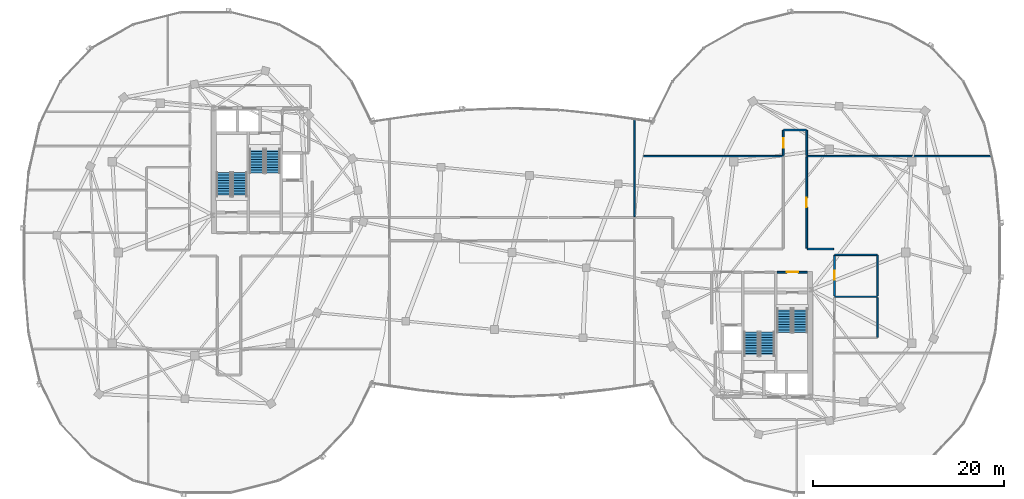
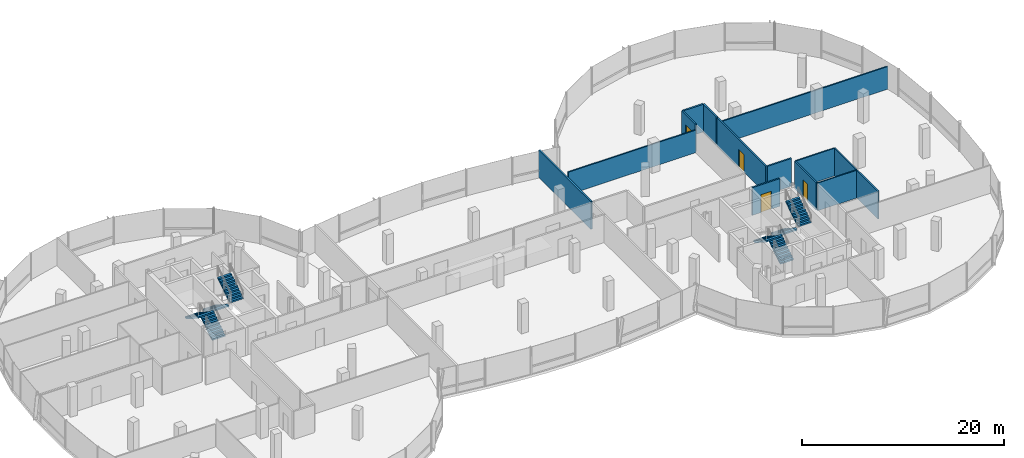
# One storey, part 17 of 25: 14 walls, 8 stair flights, 4 doors, 4 openings, 4 elements without a shape of their own.
"""IFC4 building model written with IfcOpenShell, lengths in metres."""

from ifc_helpers import new_model, si_unit, direction, frame, frame_2d, origin, place, context, subcontext, project, spatial, polyline, rectangle, outline, extrude, material, layer, layer_set, type_object, element, fill, aggregate, save


model = new_model("IFC4")

# Units and contexts
model_context = context("Model", 3, precision=1e-05, world=origin(), true_north=direction((0.0, 1.0)))
body_context = subcontext(model_context, "Body", "Model", "MODEL_VIEW")
ifc_project = project(units=[si_unit("LENGTHUNIT", "METRE"), si_unit("AREAUNIT", "SQUARE_METRE"), si_unit("VOLUMEUNIT", "CUBIC_METRE"), si_unit("PLANEANGLEUNIT", "RADIAN"), si_unit("MASSUNIT", "GRAM", prefix="KILO"), si_unit("THERMODYNAMICTEMPERATUREUNIT", "KELVIN"), si_unit("POWERUNIT", "WATT")], contexts=[model_context])

# Site, building, storey
site_placement = place(None, origin())
site = spatial("IfcSite", under=ifc_project, at=site_placement, CompositionType="ELEMENT")
building_placement = place(site_placement, origin())
building = spatial("IfcBuilding", under=site, at=building_placement, Name="Cundina Bronze Exchange", CompositionType="ELEMENT")
storey_placement = place(building_placement, frame((0.0, 0.0, 254.0)))
storey = spatial("IfcBuildingStorey", under=building, at=storey_placement, Name="L67", CompositionType="ELEMENT", Elevation=254.0)

# Wall, opening, door
ifc_material_1 = material(Name="Gypsum Fireboard Partition EI120")
ifc_layer_1 = layer(ifc_material_1, 0.179931640625, Name="Gypsum Fireboard Partition EI120")
ifc_layer_set_1 = layer_set([ifc_layer_1], Name="Gypsum Fireboard Partition EI120")
wall_type_1 = type_object("IfcWallType", Name="WL-COR-180", PredefinedType="PARTITIONING", material=ifc_layer_set_1)
wall_1_placement = place(storey_placement, frame((27.739990234375, -2.06005859375, 0.0), z_axis=(0.0, 0.0, 1.0), x_axis=(1.0, 0.0, 0.0)))
wall_1 = element("IfcWall", 1, at=wall_1_placement, inside=storey, type_object=wall_type_1, Name="L67 E Stair Vestibule Exit Wall", PredefinedType="PARTITIONING", context=body_context, shape_type="SweptSolid", body=[
    extrude(rectangle(XDim=3.159912109375, YDim=0.179931640625, at=frame_2d((1.580078125, 0.0))), origin(), (0.0, 0.0, 1.0), 3.340087890625),
])
opening_1_placement = place(wall_1_placement, frame((0.97998046875, 0.0, 0.0)))
opening_1 = element("IfcOpeningElement", 2, at=opening_1_placement, cuts=wall_1, Name="Opening DF-01", PredefinedType="OPENING", context=body_context, shape_type="SweptSolid", body=[
    extrude(rectangle(XDim=1.199951171875, YDim=2.14990234375, at=frame_2d((0.60009765625, 1.074951171875))), frame((0.0, 0.099853515625, 0.0), z_axis=(0.0, -1.0, 0.0), x_axis=(1.0, 0.0, 0.0)), (0.0, 0.0, 1.0), 0.199951171875),
])
ifc_material_2 = material(Name="Steel ASTM A36 Painted", Category="steel")
door_type_1 = type_object("IfcDoorType", Name="DR-FFL-1200", OperationType="NOTDEFINED", PredefinedType="DOOR", material=ifc_material_2)
door_1_placement = place(opening_1_placement, origin())
door_1 = element("IfcDoor", 3, at=door_1_placement, inside=storey, type_object=door_type_1, Name="L67 E Stair Vestibule Door", OperationType="SINGLE_SWING_RIGHT", OverallHeight=2.14990234375, OverallWidth=1.199951171875, PredefinedType="DOOR", context=body_context, shape_type="SweptSolid", body=[
    extrude(rectangle(XDim=1.199951171875, YDim=2.14990234375, at=frame_2d((0.60009765625, 1.074951171875))), frame((0.0, 0.02490234375, 0.0), z_axis=(0.0, -1.0, 0.0), x_axis=(1.0, 0.0, 0.0)), (0.0, 0.0, 1.0), 0.050048828125),
])
fill(opening_1, door_1)

wall_2_placement = place(storey_placement, frame((33.719970703125, -4.530029296875, 0.0), z_axis=(0.0, 0.0, 1.0), x_axis=(0.0, 1.0, 0.0)))
wall_2 = element("IfcWall", 4, at=wall_2_placement, inside=storey, type_object=wall_type_1, Name="L67 Interior Partition 049", PredefinedType="PARTITIONING", context=body_context, shape_type="SweptSolid", body=[
    extrude(rectangle(XDim=4.260009765625, YDim=0.179931640625, at=frame_2d((2.1298828125, 0.0))), origin(), (0.0, 0.0, 1.0), 3.340087890625),
])
opening_2_placement = place(wall_2_placement, frame((1.655029296875, 0.0, 0.0)))
opening_2 = element("IfcOpeningElement", 5, at=opening_2_placement, cuts=wall_2, Name="Opening DW-01", PredefinedType="OPENING", context=body_context, shape_type="SweptSolid", body=[
    extrude(rectangle(XDim=0.949951171875, YDim=2.10009765625, at=frame_2d((0.47509765625, 1.050048828125))), frame((0.0, 0.099853515625, 0.0), z_axis=(0.0, -1.0, 0.0), x_axis=(1.0, 0.0, 0.0)), (0.0, 0.0, 1.0), 0.199951171875),
])
ifc_material_3 = material(Name="Solid Andean Oak Timber Grade A", Category="wood")
door_type_2 = type_object("IfcDoorType", Name="DR-WC-950", OperationType="NOTDEFINED", PredefinedType="DOOR", material=ifc_material_3)
door_2_placement = place(opening_2_placement, origin())
door_2 = element("IfcDoor", 6, at=door_2_placement, inside=storey, type_object=door_type_2, Name="L67 Interior Door 049", OperationType="SINGLE_SWING_LEFT", OverallHeight=2.10009765625, OverallWidth=0.949951171875, PredefinedType="DOOR", context=body_context, shape_type="SweptSolid", body=[
    extrude(rectangle(XDim=0.949951171875, YDim=2.10009765625, at=frame_2d((0.47509765625, 1.050048828125))), frame((0.0, 0.02490234375, 0.0), z_axis=(0.0, -1.0, 0.0), x_axis=(1.0, 0.0, 0.0)), (0.0, 0.0, 1.0), 0.050048828125),
])
fill(opening_2, door_2)

wall_3_placement = place(storey_placement, frame((30.820068359375, 0.449951171875, 0.0), z_axis=(0.0, 0.0, 1.0), x_axis=(0.0, 1.0, 0.0)))
wall_3 = element("IfcWall", 7, at=wall_3_placement, inside=storey, type_object=wall_type_1, Name="L67 Interior Partition 060", PredefinedType="PARTITIONING", context=body_context, shape_type="SweptSolid", body=[
    extrude(rectangle(XDim=9.5400390625, YDim=0.179931640625, at=frame_2d((4.77001953125, 0.0))), origin(), (0.0, 0.0, 1.0), 3.340087890625),
])
opening_3_placement = place(wall_3_placement, frame((4.27001953125, 0.0, 0.0)))
opening_3 = element("IfcOpeningElement", 8, at=opening_3_placement, cuts=wall_3, Name="Opening DO-01", PredefinedType="OPENING", context=body_context, shape_type="SweptSolid", body=[
    extrude(rectangle(XDim=1.0, YDim=2.14990234375, at=frame_2d((0.5, 1.074951171875))), frame((0.0, 0.099853515625, 0.0), z_axis=(0.0, -1.0, 0.0), x_axis=(1.0, 0.0, 0.0)), (0.0, 0.0, 1.0), 0.199951171875),
])
door_type_3 = type_object("IfcDoorType", Name="DR-OFF-1000", OperationType="NOTDEFINED", PredefinedType="DOOR", material=ifc_material_3)
door_3_placement = place(opening_3_placement, origin())
door_3 = element("IfcDoor", 9, at=door_3_placement, inside=storey, type_object=door_type_3, Name="L67 Interior Door 060", OperationType="SINGLE_SWING_LEFT", OverallHeight=2.14990234375, OverallWidth=1.0, PredefinedType="DOOR", context=body_context, shape_type="SweptSolid", body=[
    extrude(rectangle(XDim=1.0, YDim=2.14990234375, at=frame_2d((0.5, 1.074951171875))), frame((0.0, 0.02490234375, 0.0), z_axis=(0.0, -1.0, 0.0), x_axis=(1.0, 0.0, 0.0)), (0.0, 0.0, 1.0), 0.050048828125),
])
fill(opening_3, door_3)

# Wall
wall_4_placement = place(storey_placement, frame((33.62841796875, 0.3701171875, 0.0), z_axis=(0.0, 0.0, 1.0), x_axis=(-1.0, 0.0, 0.0)))
element("IfcWall", 10, at=wall_4_placement, inside=storey, type_object=wall_type_1, Name="L67 Interior Partition 061", PredefinedType="PARTITIONING", context=body_context, shape_type="SweptSolid", body=[
    extrude(rectangle(XDim=2.728515625, YDim=0.179931640625, at=frame_2d((1.3642578125, 0.0))), origin(), (0.0, 0.0, 1.0), 3.340087890625),
])

# Wall, opening, door
wall_5_placement = place(storey_placement, frame((28.3798828125, 12.778564453125, 0.0), z_axis=(0.0, 0.0, 1.0), x_axis=(0.0, -1.0, 0.0)))
wall_5 = element("IfcWall", 11, at=wall_5_placement, inside=storey, type_object=wall_type_1, Name="L67 Interior Partition 067", PredefinedType="PARTITIONING", context=body_context, shape_type="SweptSolid", body=[
    extrude(rectangle(XDim=2.608642578125, YDim=0.179931640625, at=frame_2d((1.30419921875, 0.0))), origin(), (0.0, 0.0, 1.0), 3.340087890625),
])
opening_4_placement = place(wall_5_placement, frame((0.80419921875, 0.0, 0.0)))
opening_4 = element("IfcOpeningElement", 12, at=opening_4_placement, cuts=wall_5, Name="Opening DO-01", PredefinedType="OPENING", context=body_context, shape_type="SweptSolid", body=[
    extrude(rectangle(XDim=1.0, YDim=2.14990234375, at=frame_2d((0.5, 1.074951171875))), frame((0.0, 0.099853515625, 0.0), z_axis=(0.0, -1.0, 0.0), x_axis=(1.0, 0.0, 0.0)), (0.0, 0.0, 1.0), 0.199951171875),
])
door_4_placement = place(opening_4_placement, origin())
door_4 = element("IfcDoor", 13, at=door_4_placement, inside=storey, type_object=door_type_3, Name="L67 Interior Door 067", OperationType="SINGLE_SWING_RIGHT", OverallHeight=2.14990234375, OverallWidth=1.0, PredefinedType="DOOR", context=body_context, shape_type="SweptSolid", body=[
    extrude(rectangle(XDim=1.0, YDim=2.14990234375, at=frame_2d((0.5, 1.074951171875))), frame((0.0, 0.02490234375, 0.0), z_axis=(0.0, -1.0, 0.0), x_axis=(1.0, 0.0, 0.0)), (0.0, 0.0, 1.0), 0.050048828125),
])
fill(opening_4, door_4)

# Walls
wall_6_placement = place(storey_placement, frame((30.820068359375, 10.169921875, 0.0), z_axis=(0.0, 0.0, 1.0), x_axis=(0.0, 1.0, 0.0)))
element("IfcWall", 14, at=wall_6_placement, inside=storey, type_object=wall_type_1, Name="L67 Interior Partition 068", PredefinedType="PARTITIONING", context=body_context, shape_type="SweptSolid", body=[
    extrude(rectangle(XDim=2.608642578125, YDim=0.179931640625, at=frame_2d((1.30419921875, 0.0))), origin(), (0.0, 0.0, 1.0), 3.340087890625),
])
wall_7_placement = place(storey_placement, frame((30.778564453125, 12.820068359375, 0.0), z_axis=(0.0, 0.0, 1.0), x_axis=(-1.0, 0.0, 0.0)))
element("IfcWall", 15, at=wall_7_placement, inside=storey, type_object=wall_type_1, Name="L67 Interior Partition 069", PredefinedType="PARTITIONING", context=body_context, shape_type="SweptSolid", body=[
    extrude(rectangle(XDim=2.357177734375, YDim=0.179931640625, at=frame_2d((1.1787109375, 0.0))), origin(), (0.0, 0.0, 1.0), 3.340087890625),
])
wall_8_placement = place(storey_placement, frame((12.800048828125, 3.739990234375, 0.0), z_axis=(0.0, 0.0, 1.0), x_axis=(0.0, 1.0, 0.0)))
element("IfcWall", 16, at=wall_8_placement, inside=storey, type_object=wall_type_1, Name="L67 Interior Partition 079", PredefinedType="PARTITIONING", context=body_context, shape_type="SweptSolid", body=[
    extrude(rectangle(XDim=10.3037109375, YDim=0.179931640625, at=frame_2d((5.15185546875, 0.0))), origin(), (0.0, 0.0, 1.0), 3.340087890625),
])
ifc_material_4 = material(Name="Gypsum Acoustic Partition EI60")
ifc_layer_2 = layer(ifc_material_4, 0.14990234375, Name="Gypsum Acoustic Partition EI60")
ifc_layer_set_2 = layer_set([ifc_layer_2], Name="Gypsum Acoustic Partition EI60")
wall_type_2 = type_object("IfcWallType", Name="WL-TEN-150", PredefinedType="PARTITIONING", material=ifc_layer_set_2)
wall_9_placement = place(storey_placement, frame((13.755126953125, 10.080078125, 0.0), z_axis=(0.0, 0.0, 1.0), x_axis=(1.0, 0.0, 0.0)))
element("IfcWall", 17, at=wall_9_placement, inside=storey, type_object=wall_type_2, Name="L67 Interior Partition 051", PredefinedType="PARTITIONING", context=body_context, shape_type="SweptSolid", body=[
    extrude(rectangle(XDim=14.594970703125, YDim=0.14990234375, at=frame_2d((7.29736328125, 0.0))), origin(), (0.0, 0.0, 1.0), 2.72412109375),
])
wall_10_placement = place(storey_placement, frame((30.85009765625, 10.080078125, 0.0), z_axis=(0.0, 0.0, 1.0), x_axis=(1.0, 0.0, 0.0)))
element("IfcWall", 18, at=wall_10_placement, inside=storey, type_object=wall_type_2, Name="L67 Interior Partition 052", PredefinedType="PARTITIONING", context=body_context, shape_type="SweptSolid", body=[
    extrude(rectangle(XDim=19.394775390625, YDim=0.14990234375, at=frame_2d((9.697265625, 0.0))), origin(), (0.0, 0.0, 1.0), 2.72412109375),
])
ifc_material_5 = material(Name="Moisture-Resistant Masonry Block Grade M15", Category="masonry")
ifc_layer_3 = layer(ifc_material_5, 0.139892578125, Name="Moisture-Resistant Masonry Block Grade M15", Category="masonry")
ifc_layer_set_3 = layer_set([ifc_layer_3], Name="Moisture-Resistant Masonry Block Grade M15")
wall_type_3 = type_object("IfcWallType", Name="WL-WET-140", PredefinedType="PARTITIONING", material=ifc_layer_set_3)
wall_11_placement = place(storey_placement, frame((38.239990234375, -8.889892578125, 0.0), z_axis=(0.0, 0.0, 1.0), x_axis=(0.0, 1.0, 0.0)))
element("IfcWall", 19, at=wall_11_placement, inside=storey, type_object=wall_type_3, Name="L67 Interior Partition 044", PredefinedType="PARTITIONING", context=body_context, shape_type="SweptSolid", body=[
    extrude(rectangle(XDim=4.1748046875, YDim=0.139892578125, at=frame_2d((2.08740234375, 0.0))), origin(), (0.0, 0.0, 1.0), 3.340087890625),
])
wall_12_placement = place(storey_placement, frame((38.239990234375, -4.544921875, 0.0), z_axis=(0.0, 0.0, 1.0), x_axis=(0.0, 1.0, 0.0)))
element("IfcWall", 20, at=wall_12_placement, inside=storey, type_object=wall_type_3, Name="L67 Interior Partition 045", PredefinedType="PARTITIONING", context=body_context, shape_type="SweptSolid", body=[
    extrude(rectangle(XDim=4.27490234375, YDim=0.139892578125, at=frame_2d((2.137451171875, 0.0))), origin(), (0.0, 0.0, 1.0), 3.340087890625),
])
for number, where, z_axis, x_axis, name in (
    (21, (33.739990234375, -0.25, 0.0), (0.0, 0.0, 1.0), (1.0, 0.0, 0.0), "L67 Interior Partition 046"),
    (22, (33.739990234375, -4.6298828125, 0.0), (0.0, 0.0, 1.0), (1.0, 0.0, 0.0), "L67 Interior Partition 047"),
):
    element("IfcWall", number, at=place(storey_placement, frame(where, z_axis=z_axis, x_axis=x_axis)), inside=storey, type_object=wall_type_3, Name=name, PredefinedType="PARTITIONING", context=body_context, shape_type="SweptSolid", body=[
        extrude(rectangle(XDim=4.47998046875, YDim=0.139892578125, at=frame_2d((2.239990234375, 0.0))), origin(), (0.0, 0.0, 1.0), 3.340087890625),
    ])

# Stair, stair flights
ifc_material_6 = material(Name="Concrete C40/50", Category="concrete")
stair_type = type_object("IfcStairType", Name="STR-OFF-360", PredefinedType="HALF_TURN_STAIR", material=ifc_material_6)
stair_1_placement = place(storey_placement, origin())
stair_1 = element("IfcStair", 23, at=stair_1_placement, inside=storey, type_object=stair_type, Name="L67 Smokeproof Exit Stair W1", PredefinedType="HALF_TURN_STAIR")
stair_flight_type = type_object("IfcStairFlightType", Name="FLG-OFF-180", PredefinedType="STRAIGHT", material=ifc_material_6)
stair_flight_1_placement = place(storey_placement, frame((-28.489990234375, 5.85009765625, 0.0), z_axis=(0.0, 0.0, 1.0), x_axis=(0.0, 1.0, 0.0)))
stair_flight_1 = element("IfcStairFlight", 24, at=stair_flight_1_placement, type_object=stair_flight_type, Name="ST-W1 flight 1", NumberOfRisers=10, NumberOfTreads=9, PredefinedType="STRAIGHT", RiserHeight=0.18, TreadLength=0.28, context=body_context, shape_type="SweptSolid", body=[
    extrude(outline(polyline([(0.0, 0.0), (0.0, 0.179931640625), (0.280029296875, 0.179931640625), (0.280029296875, 0.360107421875), (0.56005859375, 0.360107421875), (0.56005859375, 0.5400390625), (0.840087890625, 0.5400390625), (0.840087890625, 0.719970703125), (1.1201171875, 0.719970703125), (1.1201171875, 0.89990234375), (1.39990234375, 0.89990234375), (1.39990234375, 1.080078125), (1.679931640625, 1.080078125), (1.679931640625, 1.260009765625), (1.9599609375, 1.260009765625), (1.9599609375, 1.43994140625), (2.239990234375, 1.43994140625), (2.239990234375, 1.6201171875), (2.52001953125, 1.6201171875), (2.52001953125, 1.800048828125), (2.52001953125, 1.44189453125), (0.277099609375, 0.0), (0.0, 0.0)])), frame((0.0, 0.75, 0.0), z_axis=(0.0, -1.0, 0.0), x_axis=(1.0, 0.0, 0.0)), (0.0, 0.0, 1.0), 1.5),
])
stair_flight_2_placement = place(storey_placement, frame((-30.14990234375, 8.3701171875, 1.800048828125), z_axis=(0.0, 0.0, 1.0), x_axis=(0.0, -1.0, 0.0)))
stair_flight_2 = element("IfcStairFlight", 25, at=stair_flight_2_placement, type_object=stair_flight_type, Name="ST-W1 flight 2", NumberOfRisers=10, NumberOfTreads=9, PredefinedType="STRAIGHT", RiserHeight=0.18, TreadLength=0.28, context=body_context, shape_type="SweptSolid", body=[
    extrude(outline(polyline([(0.0, 0.0), (0.0, 0.179931640625), (0.280029296875, 0.179931640625), (0.280029296875, 0.360107421875), (0.56005859375, 0.360107421875), (0.56005859375, 0.5400390625), (0.840087890625, 0.5400390625), (0.840087890625, 0.719970703125), (1.1201171875, 0.719970703125), (1.1201171875, 0.89990234375), (1.39990234375, 0.89990234375), (1.39990234375, 1.080078125), (1.679931640625, 1.080078125), (1.679931640625, 1.260009765625), (1.9599609375, 1.260009765625), (1.9599609375, 1.43994140625), (2.239990234375, 1.43994140625), (2.239990234375, 1.6201171875), (2.52001953125, 1.6201171875), (2.52001953125, 1.800048828125), (2.52001953125, 1.44189453125), (0.277099609375, 0.0), (0.0, 0.0)])), frame((0.0, 0.75, 0.0), z_axis=(0.0, -1.0, 0.0), x_axis=(1.0, 0.0, 0.0)), (0.0, 0.0, 1.0), 1.5),
])
aggregate(stair_1, [stair_flight_1, stair_flight_2])

stair_2_placement = place(storey_placement, origin())
stair_2 = element("IfcStair", 26, at=stair_2_placement, inside=storey, type_object=stair_type, Name="L67 Smokeproof Exit Stair W2", PredefinedType="HALF_TURN_STAIR")
stair_flight_3_placement = place(storey_placement, frame((-26.68994140625, 10.85009765625, 0.0), z_axis=(0.0, 0.0, 1.0), x_axis=(0.0, -1.0, 0.0)))
stair_flight_3 = element("IfcStairFlight", 27, at=stair_flight_3_placement, type_object=stair_flight_type, Name="ST-W2 flight 1", NumberOfRisers=10, NumberOfTreads=9, PredefinedType="STRAIGHT", RiserHeight=0.18, TreadLength=0.28, context=body_context, shape_type="SweptSolid", body=[
    extrude(outline(polyline([(0.0, 0.0), (0.0, 0.179931640625), (0.280029296875, 0.179931640625), (0.280029296875, 0.360107421875), (0.56005859375, 0.360107421875), (0.56005859375, 0.5400390625), (0.840087890625, 0.5400390625), (0.840087890625, 0.719970703125), (1.1201171875, 0.719970703125), (1.1201171875, 0.89990234375), (1.39990234375, 0.89990234375), (1.39990234375, 1.080078125), (1.679931640625, 1.080078125), (1.679931640625, 1.260009765625), (1.9599609375, 1.260009765625), (1.9599609375, 1.43994140625), (2.239990234375, 1.43994140625), (2.239990234375, 1.6201171875), (2.52001953125, 1.6201171875), (2.52001953125, 1.800048828125), (2.52001953125, 1.44189453125), (0.277099609375, 0.0), (0.0, 0.0)])), frame((0.0, 0.75, 0.0), z_axis=(0.0, -1.0, 0.0), x_axis=(1.0, 0.0, 0.0)), (0.0, 0.0, 1.0), 1.5),
])
stair_flight_4_placement = place(storey_placement, frame((-25.030029296875, 8.330078125, 1.800048828125), z_axis=(0.0, 0.0, 1.0), x_axis=(0.0, 1.0, 0.0)))
stair_flight_4 = element("IfcStairFlight", 28, at=stair_flight_4_placement, type_object=stair_flight_type, Name="ST-W2 flight 2", NumberOfRisers=10, NumberOfTreads=9, PredefinedType="STRAIGHT", RiserHeight=0.18, TreadLength=0.28, context=body_context, shape_type="SweptSolid", body=[
    extrude(outline(polyline([(0.0, 0.0), (0.0, 0.179931640625), (0.280029296875, 0.179931640625), (0.280029296875, 0.360107421875), (0.56005859375, 0.360107421875), (0.56005859375, 0.5400390625), (0.840087890625, 0.5400390625), (0.840087890625, 0.719970703125), (1.1201171875, 0.719970703125), (1.1201171875, 0.89990234375), (1.39990234375, 0.89990234375), (1.39990234375, 1.080078125), (1.679931640625, 1.080078125), (1.679931640625, 1.260009765625), (1.9599609375, 1.260009765625), (1.9599609375, 1.43994140625), (2.239990234375, 1.43994140625), (2.239990234375, 1.6201171875), (2.52001953125, 1.6201171875), (2.52001953125, 1.800048828125), (2.52001953125, 1.44189453125), (0.277099609375, 0.0), (0.0, 0.0)])), frame((0.0, 0.75, 0.0), z_axis=(0.0, -1.0, 0.0), x_axis=(1.0, 0.0, 0.0)), (0.0, 0.0, 1.0), 1.5),
])
aggregate(stair_2, [stair_flight_3, stair_flight_4])

stair_3_placement = place(storey_placement, origin())
stair_3 = element("IfcStair", 29, at=stair_3_placement, inside=storey, type_object=stair_type, Name="L67 Smokeproof Exit Stair E1", PredefinedType="HALF_TURN_STAIR")
stair_flight_5_placement = place(storey_placement, frame((28.489990234375, -5.85009765625, 0.0), z_axis=(0.0, 0.0, 1.0), x_axis=(0.0, -1.0, 0.0)))
stair_flight_5 = element("IfcStairFlight", 30, at=stair_flight_5_placement, type_object=stair_flight_type, Name="ST-E1 flight 1", NumberOfRisers=10, NumberOfTreads=9, PredefinedType="STRAIGHT", RiserHeight=0.18, TreadLength=0.28, context=body_context, shape_type="SweptSolid", body=[
    extrude(outline(polyline([(0.0, 0.0), (0.0, 0.179931640625), (0.280029296875, 0.179931640625), (0.280029296875, 0.360107421875), (0.56005859375, 0.360107421875), (0.56005859375, 0.5400390625), (0.840087890625, 0.5400390625), (0.840087890625, 0.719970703125), (1.1201171875, 0.719970703125), (1.1201171875, 0.89990234375), (1.39990234375, 0.89990234375), (1.39990234375, 1.080078125), (1.679931640625, 1.080078125), (1.679931640625, 1.260009765625), (1.9599609375, 1.260009765625), (1.9599609375, 1.43994140625), (2.239990234375, 1.43994140625), (2.239990234375, 1.6201171875), (2.52001953125, 1.6201171875), (2.52001953125, 1.800048828125), (2.52001953125, 1.44189453125), (0.277099609375, 0.0), (0.0, 0.0)])), frame((0.0, 0.75, 0.0), z_axis=(0.0, -1.0, 0.0), x_axis=(1.0, 0.0, 0.0)), (0.0, 0.0, 1.0), 1.5),
])
stair_flight_6_placement = place(storey_placement, frame((30.14990234375, -8.3701171875, 1.800048828125), z_axis=(0.0, 0.0, 1.0), x_axis=(0.0, 1.0, 0.0)))
stair_flight_6 = element("IfcStairFlight", 31, at=stair_flight_6_placement, type_object=stair_flight_type, Name="ST-E1 flight 2", NumberOfRisers=10, NumberOfTreads=9, PredefinedType="STRAIGHT", RiserHeight=0.18, TreadLength=0.28, context=body_context, shape_type="SweptSolid", body=[
    extrude(outline(polyline([(0.0, 0.0), (0.0, 0.179931640625), (0.280029296875, 0.179931640625), (0.280029296875, 0.360107421875), (0.56005859375, 0.360107421875), (0.56005859375, 0.5400390625), (0.840087890625, 0.5400390625), (0.840087890625, 0.719970703125), (1.1201171875, 0.719970703125), (1.1201171875, 0.89990234375), (1.39990234375, 0.89990234375), (1.39990234375, 1.080078125), (1.679931640625, 1.080078125), (1.679931640625, 1.260009765625), (1.9599609375, 1.260009765625), (1.9599609375, 1.43994140625), (2.239990234375, 1.43994140625), (2.239990234375, 1.6201171875), (2.52001953125, 1.6201171875), (2.52001953125, 1.800048828125), (2.52001953125, 1.44189453125), (0.277099609375, 0.0), (0.0, 0.0)])), frame((0.0, 0.75, 0.0), z_axis=(0.0, -1.0, 0.0), x_axis=(1.0, 0.0, 0.0)), (0.0, 0.0, 1.0), 1.5),
])
aggregate(stair_3, [stair_flight_5, stair_flight_6])

stair_4_placement = place(storey_placement, origin())
stair_4 = element("IfcStair", 32, at=stair_4_placement, inside=storey, type_object=stair_type, Name="L67 Smokeproof Exit Stair E2", PredefinedType="HALF_TURN_STAIR")
stair_flight_7_placement = place(storey_placement, frame((26.68994140625, -10.85009765625, 0.0), z_axis=(0.0, 0.0, 1.0), x_axis=(0.0, 1.0, 0.0)))
stair_flight_7 = element("IfcStairFlight", 33, at=stair_flight_7_placement, type_object=stair_flight_type, Name="ST-E2 flight 1", NumberOfRisers=10, NumberOfTreads=9, PredefinedType="STRAIGHT", RiserHeight=0.18, TreadLength=0.28, context=body_context, shape_type="SweptSolid", body=[
    extrude(outline(polyline([(0.0, 0.0), (0.0, 0.179931640625), (0.280029296875, 0.179931640625), (0.280029296875, 0.360107421875), (0.56005859375, 0.360107421875), (0.56005859375, 0.5400390625), (0.840087890625, 0.5400390625), (0.840087890625, 0.719970703125), (1.1201171875, 0.719970703125), (1.1201171875, 0.89990234375), (1.39990234375, 0.89990234375), (1.39990234375, 1.080078125), (1.679931640625, 1.080078125), (1.679931640625, 1.260009765625), (1.9599609375, 1.260009765625), (1.9599609375, 1.43994140625), (2.239990234375, 1.43994140625), (2.239990234375, 1.6201171875), (2.52001953125, 1.6201171875), (2.52001953125, 1.800048828125), (2.52001953125, 1.44189453125), (0.277099609375, 0.0), (0.0, 0.0)])), frame((0.0, 0.75, 0.0), z_axis=(0.0, -1.0, 0.0), x_axis=(1.0, 0.0, 0.0)), (0.0, 0.0, 1.0), 1.5),
])
stair_flight_8_placement = place(storey_placement, frame((25.030029296875, -8.330078125, 1.800048828125), z_axis=(0.0, 0.0, 1.0), x_axis=(0.0, -1.0, 0.0)))
stair_flight_8 = element("IfcStairFlight", 34, at=stair_flight_8_placement, type_object=stair_flight_type, Name="ST-E2 flight 2", NumberOfRisers=10, NumberOfTreads=9, PredefinedType="STRAIGHT", RiserHeight=0.18, TreadLength=0.28, context=body_context, shape_type="SweptSolid", body=[
    extrude(outline(polyline([(0.0, 0.0), (0.0, 0.179931640625), (0.280029296875, 0.179931640625), (0.280029296875, 0.360107421875), (0.56005859375, 0.360107421875), (0.56005859375, 0.5400390625), (0.840087890625, 0.5400390625), (0.840087890625, 0.719970703125), (1.1201171875, 0.719970703125), (1.1201171875, 0.89990234375), (1.39990234375, 0.89990234375), (1.39990234375, 1.080078125), (1.679931640625, 1.080078125), (1.679931640625, 1.260009765625), (1.9599609375, 1.260009765625), (1.9599609375, 1.43994140625), (2.239990234375, 1.43994140625), (2.239990234375, 1.6201171875), (2.52001953125, 1.6201171875), (2.52001953125, 1.800048828125), (2.52001953125, 1.44189453125), (0.277099609375, 0.0), (0.0, 0.0)])), frame((0.0, 0.75, 0.0), z_axis=(0.0, -1.0, 0.0), x_axis=(1.0, 0.0, 0.0)), (0.0, 0.0, 1.0), 1.5),
])
aggregate(stair_4, [stair_flight_7, stair_flight_8])

save(model, "model.ifc")
